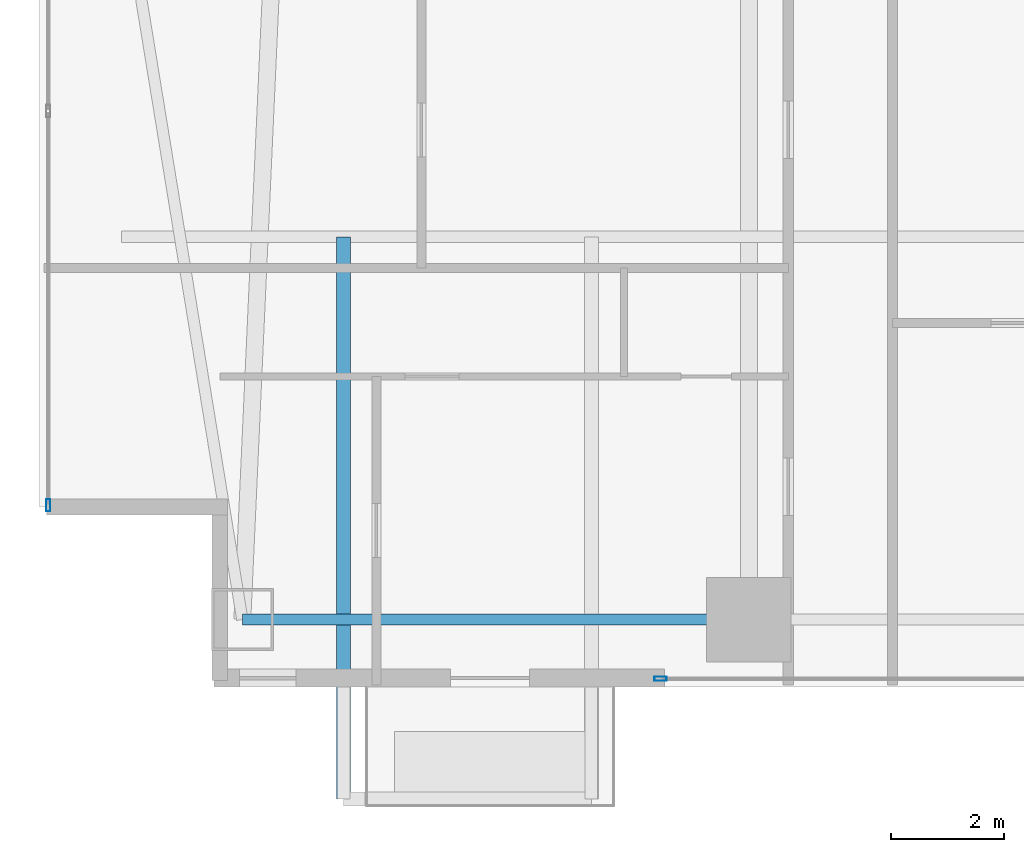
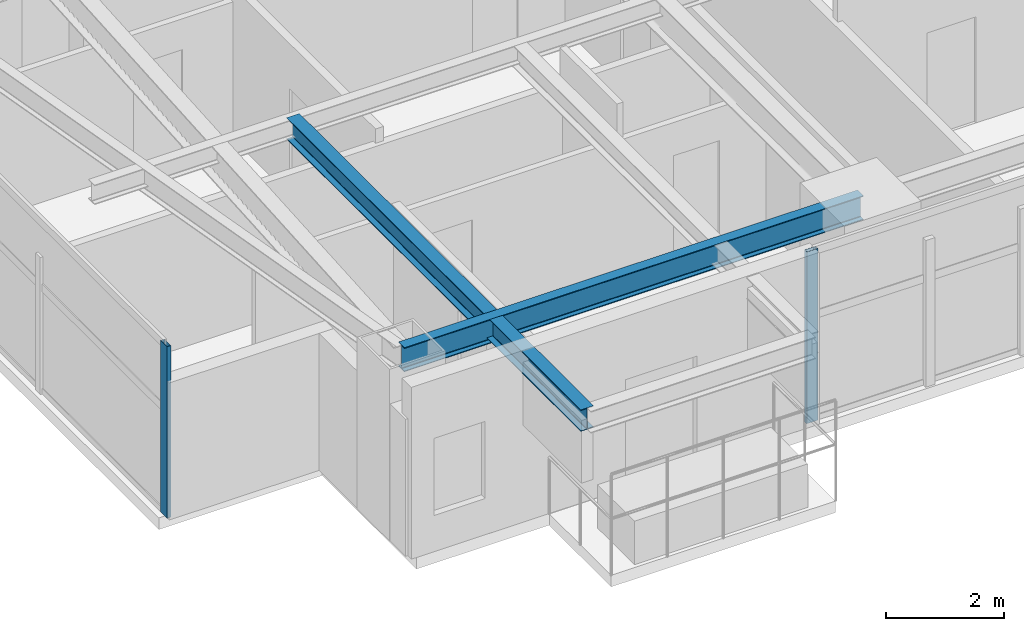
# One storey, part 2 of 29: 2 beams, 2 members, 2 elements without a shape of their own.
"""IFC4 building model written with IfcOpenShell, lengths in metres."""

from ifc_helpers import new_model, si_unit, direction, frame, origin, origin_2d, place, context, subcontext, project, spatial, hollow_rectangle, i_section, extrude, material, layer, layer_set, material_profile, profile_set, type_object, element, aggregate, save


model = new_model("IFC4")

# Units and contexts
model_context = context("Model", 3, precision=1e-05, world=origin(), true_north=direction((0.0, 1.0)))
body_context = subcontext(model_context, "Body", "Model", "MODEL_VIEW")
ifc_project = project(units=[si_unit("LENGTHUNIT", "METRE"), si_unit("AREAUNIT", "SQUARE_METRE"), si_unit("VOLUMEUNIT", "CUBIC_METRE"), si_unit("PLANEANGLEUNIT", "RADIAN"), si_unit("MASSUNIT", "GRAM", prefix="KILO")], contexts=[model_context])

# Site, building, storey
site_placement = place(None, origin())
site = spatial("IfcSite", under=ifc_project, at=site_placement, CompositionType="ELEMENT")
building_placement = place(site_placement, origin())
building = spatial("IfcBuilding", under=site, at=building_placement, Name="Calvorn Quay Hotel", CompositionType="ELEMENT")
storey_placement = place(building_placement, frame((0.0, 0.0, 62.199951171875)))
storey = spatial("IfcBuildingStorey", under=building, at=storey_placement, Name="L14", CompositionType="ELEMENT", Elevation=62.199951171875)

# Beams
ifc_material_1 = material(Name="Steel Q355B", Category="steel")
ifc_material_profile_1 = material_profile(ifc_material_1, i_section(OverallWidth=0.25, OverallDepth=0.449951171875, WebThickness=0.011962890625, FlangeThickness=0.01611328125, FilletRadius=0.01611328125, at=origin_2d()), Name="HN450x250x12x16")
ifc_profile_set_1 = profile_set([ifc_material_profile_1], Name="Steel Q355B")
beam_type_1 = type_object("IfcBeamType", Name="BM-CANT-BALC", PredefinedType="BEAM", material=ifc_profile_set_1)
beam_1_placement = place(storey_placement, frame((5.39990234375, 10.39990234375, 3.31494140625), z_axis=(0.0, -1.0, 0.0), x_axis=(1.0, 0.0, 0.0)))
element("IfcBeam", 1, at=beam_1_placement, inside=storey, type_object=beam_type_1, Name="Cantilever Balcony Beam BCB-L15-2A", PredefinedType="BEAM", context=body_context, shape_type="SweptSolid", body=[
    extrude(i_section(OverallWidth=0.25, OverallDepth=0.449951171875, WebThickness=0.011962890625, FlangeThickness=0.01611328125, FilletRadius=0.01611328125, at=origin_2d()), origin(), (0.0, 0.0, 1.0), 9.989990234375),
])
ifc_material_2 = material(Name="Steel Q355B", Category="steel")
ifc_material_profile_2 = material_profile(ifc_material_2, i_section(OverallWidth=0.199951171875, OverallDepth=0.5, WebThickness=0.010009765625, FlangeThickness=0.01611328125, FilletRadius=0.01611328125, at=origin_2d()), Name="HN500x200x10x16")
ifc_profile_set_2 = profile_set([ifc_material_profile_2], Name="Steel Q355B")
beam_type_2 = type_object("IfcBeamType", Name="BM-SPANDREL-Z1", PredefinedType="SPANDREL", material=ifc_profile_set_2)
beam_2_placement = place(storey_placement, frame((3.60009765625, 3.60009765625, 3.2900390625), z_axis=(1.0, 0.0, 0.0), x_axis=(0.0, 1.0, 0.0)))
element("IfcBeam", 2, at=beam_2_placement, inside=storey, type_object=beam_type_2, Name="Beam BSP-L14-S1", PredefinedType="SPANDREL", context=body_context, shape_type="SweptSolid", body=[
    extrude(i_section(OverallWidth=0.199951171875, OverallDepth=0.5, WebThickness=0.010009765625, FlangeThickness=0.01611328125, FilletRadius=0.01611328125, at=origin_2d()), origin(), (0.0, 0.0, 1.0), 9.0),
])

# Curtain wall, member
ifc_material_3 = material(Name="Pale Anodised Aluminium and Low-E Glass", Category="aluminium")
ifc_layer = layer(ifc_material_3, 0.219970703125)
ifc_layer_set = layer_set([ifc_layer], Name="CW-SYS-Z1")
curtain_wall_type = type_object("IfcCurtainWallType", Name="CW-SYS-Z1", PredefinedType="NOTDEFINED", material=ifc_layer_set)
curtain_wall_1_placement = place(storey_placement, origin())
curtain_wall_1 = element("IfcCurtainWall", 3, at=curtain_wall_1_placement, inside=storey, type_object=curtain_wall_type, Name="Tower West Curtain Wall (L14)", PredefinedType="NOTDEFINED")
ifc_material_4 = material(Name="Pale Anodised Aluminium 6063-T6", Category="aluminium")
ifc_material_profile_3 = material_profile(ifc_material_4, hollow_rectangle(XDim=0.074951171875, YDim=0.219970703125, WallThickness=0.00439453125, at=origin_2d()), Name="ALU-M220x75x4.5")
ifc_profile_set_3 = profile_set([ifc_material_profile_3], Name="Pale Anodised Aluminium 6063-T6")
member_type = type_object("IfcMemberType", Name="CW-SYS-Z1-MUL", PredefinedType="MULLION", material=ifc_profile_set_3)
member_1_placement = place(storey_placement, frame((0.14990234375, 5.6298828125, 0.0), z_axis=(0.0, 0.0, 1.0), x_axis=(-1.0, 0.0, 0.0)))
member_1 = element("IfcMember", 4, at=member_1_placement, type_object=member_type, Name="CW-L14-W mullion 1", PredefinedType="MULLION", context=body_context, shape_type="SweptSolid", body=[
    extrude(hollow_rectangle(XDim=0.074951171875, YDim=0.219970703125, WallThickness=0.00439453125, at=origin_2d()), origin(), (0.0, 0.0, 1.0), 3.56005859375),
])
aggregate(curtain_wall_1, [member_1])

curtain_wall_2_placement = place(storey_placement, origin())
curtain_wall_2 = element("IfcCurtainWall", 5, at=curtain_wall_2_placement, inside=storey, type_object=curtain_wall_type, Name="Tower South Waterfront Curtain Wall (L14)", PredefinedType="NOTDEFINED")
member_2_placement = place(storey_placement, frame((11.030029296875, 2.550048828125, 0.0), z_axis=(0.0, 0.0, 1.0), x_axis=(0.0, 1.0, 0.0)))
member_2 = element("IfcMember", 6, at=member_2_placement, type_object=member_type, Name="CW-L14-S mullion 1", PredefinedType="MULLION", context=body_context, shape_type="SweptSolid", body=[
    extrude(hollow_rectangle(XDim=0.074951171875, YDim=0.219970703125, WallThickness=0.00439453125, at=origin_2d()), origin(), (0.0, 0.0, 1.0), 3.56005859375),
])
aggregate(curtain_wall_2, [member_2])

save(model, "model.ifc")
